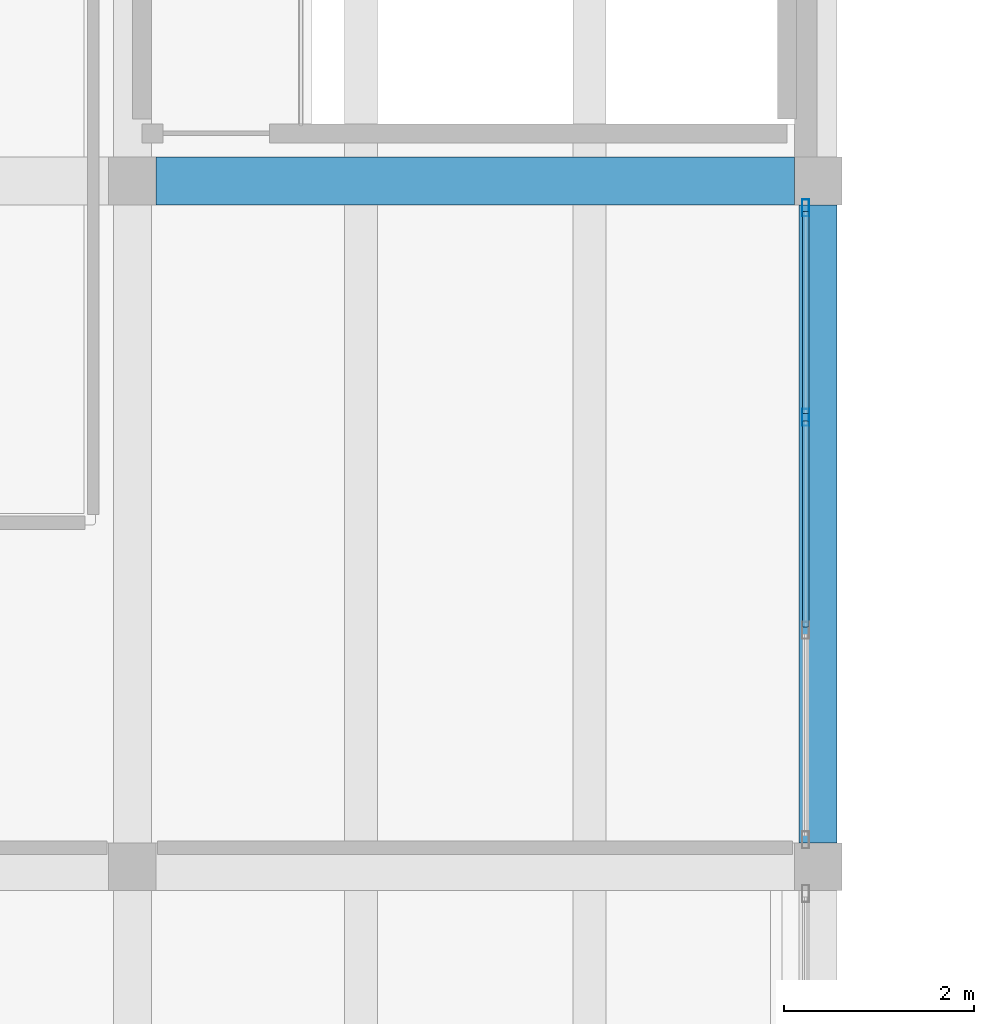
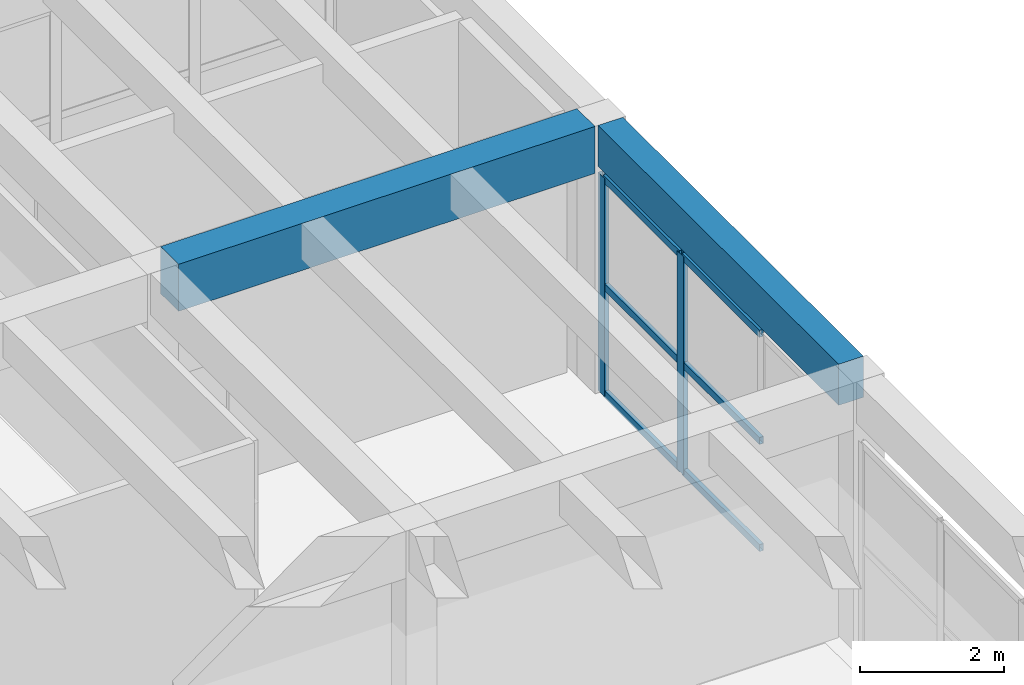
# One storey, part 97 of 153: 8 members, 2 beams, 1 element without a shape of its own.
"""IFC4 building model written with IfcOpenShell, lengths in metres."""

from ifc_helpers import new_model, si_unit, direction, frame, origin, origin_2d, place, context, subcontext, project, spatial, rectangle, hollow_rectangle, extrude, material, material_profile, profile_set, type_object, element, aggregate, save


model = new_model("IFC4")

# Units and contexts
model_context = context("Model", 3, precision=1e-05, world=origin(), true_north=direction((0.0, 1.0)))
body_context = subcontext(model_context, "Body", "Model", "MODEL_VIEW")
ifc_project = project(units=[si_unit("LENGTHUNIT", "METRE"), si_unit("AREAUNIT", "SQUARE_METRE"), si_unit("VOLUMEUNIT", "CUBIC_METRE"), si_unit("PLANEANGLEUNIT", "RADIAN"), si_unit("MASSUNIT", "GRAM", prefix="KILO")], contexts=[model_context])

# Site, building, storey
site_placement = place(None, origin())
site = spatial("IfcSite", under=ifc_project, at=site_placement, CompositionType="ELEMENT")
building_placement = place(site_placement, origin())
building = spatial("IfcBuilding", under=site, at=building_placement, Name="Bramvelor Terrace Health Centre", CompositionType="ELEMENT")
storey_placement = place(building_placement, frame((0.0, 0.0, 4.800048828125)))
storey = spatial("IfcBuildingStorey", under=building, at=storey_placement, Name="L02", CompositionType="ELEMENT", Elevation=4.800048828125)

# Beams
ifc_material_1 = material(Name="Concrete C40/50", Category="concrete")
ifc_material_profile_1 = material_profile(ifc_material_1, rectangle(XDim=0.39990234375, YDim=0.699951171875, at=origin_2d()), Name="RC 400x700")
ifc_profile_set_1 = profile_set([ifc_material_profile_1], Name="Concrete C40/50")
beam_type_1 = type_object("IfcBeamType", Name="BM-RC-G700", PredefinedType="BEAM", material=ifc_profile_set_1)
beam_1_placement = place(storey_placement, frame((93.60009765625, 65.050048828125, 4.199951171875), z_axis=(0.0, 1.0, 0.0), x_axis=(-1.0, 0.0, 0.0)))
element("IfcBeam", 1, at=beam_1_placement, inside=storey, type_object=beam_type_1, Name="L02 Floor Girder", PredefinedType="BEAM", context=body_context, shape_type="SweptSolid", body=[
    extrude(rectangle(XDim=0.39990234375, YDim=0.699951171875, at=origin_2d()), origin(), (0.0, 0.0, 1.0), 6.699951171875),
])
ifc_material_2 = material(Name="Concrete C40/50", Category="concrete")
ifc_material_profile_2 = material_profile(ifc_material_2, rectangle(XDim=0.5, YDim=0.800048828125, at=origin_2d()), Name="RC 500x800")
ifc_profile_set_2 = profile_set([ifc_material_profile_2], Name="Concrete C40/50")
beam_type_2 = type_object("IfcBeamType", Name="BM-RC-G800", PredefinedType="BEAM", material=ifc_profile_set_2)
beam_2_placement = place(storey_placement, frame((86.64990234375, 72.0, 4.14990234375), z_axis=(1.0, 0.0, 0.0), x_axis=(0.0, 1.0, 0.0)))
element("IfcBeam", 2, at=beam_2_placement, inside=storey, type_object=beam_type_2, Name="L02 Floor Girder", PredefinedType="BEAM", context=body_context, shape_type="SweptSolid", body=[
    extrude(rectangle(XDim=0.5, YDim=0.800048828125, at=origin_2d()), origin(), (0.0, 0.0, 1.0), 6.7001953125),
])

# Curtain wall, members
ifc_material_3 = material(Name="Anodized aluminium and double low-E glass", Category="aluminium")
curtain_wall_type = type_object("IfcCurtainWallType", Name="CW-SYS-17", PredefinedType="NOTDEFINED", material=ifc_material_3)
curtain_wall_placement = place(storey_placement, origin())
curtain_wall = element("IfcCurtainWall", 3, at=curtain_wall_placement, inside=storey, type_object=curtain_wall_type, Name="L02 Unitized Curtain Wall 97", PredefinedType="NOTDEFINED")
ifc_material_4 = material(Name="Anodized aluminium 6063-T6", Category="aluminium")
ifc_material_profile_3 = material_profile(ifc_material_4, hollow_rectangle(XDim=0.074951171875, YDim=0.179931640625, WallThickness=0.00341796875, at=origin_2d()), Name="ALU-MUL 75x180x3.5")
ifc_profile_set_3 = profile_set([ifc_material_profile_3], Name="Anodized aluminium 6063-T6")
member_type_1 = type_object("IfcMemberType", Name="CW-MUL-65x180", PredefinedType="MULLION", material=ifc_profile_set_3)
member_1_placement = place(storey_placement, frame((93.469970703125, 71.717529296875, 0.0), z_axis=(0.0, 0.0, 1.0), x_axis=(1.0, 0.0, 0.0)))
member_1 = element("IfcMember", 4, at=member_1_placement, type_object=member_type_1, Name="CW-17 mullion 1", PredefinedType="MULLION", context=body_context, shape_type="SweptSolid", body=[
    extrude(hollow_rectangle(XDim=0.074951171875, YDim=0.179931640625, WallThickness=0.00341796875, at=origin_2d()), origin(), (0.0, 0.0, 1.0), 3.7099609375),
])
member_2_placement = place(storey_placement, frame((93.469970703125, 69.518310546875, 0.0), z_axis=(0.0, 0.0, 1.0), x_axis=(1.0, 0.0, 0.0)))
member_2 = element("IfcMember", 5, at=member_2_placement, type_object=member_type_1, Name="CW-17 mullion 2", PredefinedType="MULLION", context=body_context, shape_type="SweptSolid", body=[
    extrude(hollow_rectangle(XDim=0.074951171875, YDim=0.179931640625, WallThickness=0.00341796875, at=origin_2d()), origin(), (0.0, 0.0, 1.0), 3.7099609375),
])
ifc_material_5 = material(Name="Anodized aluminium 6063-T6", Category="aluminium")
ifc_material_profile_4 = material_profile(ifc_material_5, hollow_rectangle(XDim=0.06494140625, YDim=0.1201171875, WallThickness=0.0029296875, at=origin_2d()), Name="ALU-TRN 65x120x3.0")
ifc_profile_set_4 = profile_set([ifc_material_profile_4], Name="Anodized aluminium 6063-T6")
member_type_2 = type_object("IfcMemberType", Name="CW-TRN-65x150", PredefinedType="USERDEFINED", material=ifc_profile_set_4)
member_3_placement = place(storey_placement, frame((93.469970703125, 71.679931640625, 0.032470703125), z_axis=(0.0, -1.0, 0.0), x_axis=(1.0, 0.0, 0.0)))
member_3 = element("IfcMember", 6, at=member_3_placement, type_object=member_type_2, Name="CW-17 transom 1.1", ObjectType="TRANSOM", PredefinedType="USERDEFINED", context=body_context, shape_type="SweptSolid", body=[
    extrude(hollow_rectangle(XDim=0.06494140625, YDim=0.1201171875, WallThickness=0.0029296875, at=origin_2d()), origin(), (0.0, 0.0, 1.0), 2.1240234375),
])
member_4_placement = place(storey_placement, frame((93.469970703125, 71.679931640625, 1.85498046875), z_axis=(0.0, -1.0, 0.0), x_axis=(1.0, 0.0, 0.0)))
member_4 = element("IfcMember", 7, at=member_4_placement, type_object=member_type_2, Name="CW-17 transom 1.2", ObjectType="TRANSOM", PredefinedType="USERDEFINED", context=body_context, shape_type="SweptSolid", body=[
    extrude(hollow_rectangle(XDim=0.06494140625, YDim=0.1201171875, WallThickness=0.0029296875, at=origin_2d()), origin(), (0.0, 0.0, 1.0), 2.1240234375),
])
member_5_placement = place(storey_placement, frame((93.469970703125, 71.679931640625, 3.677490234375), z_axis=(0.0, -1.0, 0.0), x_axis=(1.0, 0.0, 0.0)))
member_5 = element("IfcMember", 8, at=member_5_placement, type_object=member_type_2, Name="CW-17 transom 1.3", ObjectType="TRANSOM", PredefinedType="USERDEFINED", context=body_context, shape_type="SweptSolid", body=[
    extrude(hollow_rectangle(XDim=0.06494140625, YDim=0.1201171875, WallThickness=0.0029296875, at=origin_2d()), origin(), (0.0, 0.0, 1.0), 2.1240234375),
])
member_6_placement = place(storey_placement, frame((93.469970703125, 69.480712890625, 0.032470703125), z_axis=(0.0, -1.0, 0.0), x_axis=(1.0, 0.0, 0.0)))
member_6 = element("IfcMember", 9, at=member_6_placement, type_object=member_type_2, Name="CW-17 transom 2.1", ObjectType="TRANSOM", PredefinedType="USERDEFINED", context=body_context, shape_type="SweptSolid", body=[
    extrude(hollow_rectangle(XDim=0.06494140625, YDim=0.1201171875, WallThickness=0.0029296875, at=origin_2d()), origin(), (0.0, 0.0, 1.0), 2.16162109375),
])
member_7_placement = place(storey_placement, frame((93.469970703125, 69.480712890625, 1.85498046875), z_axis=(0.0, -1.0, 0.0), x_axis=(1.0, 0.0, 0.0)))
member_7 = element("IfcMember", 10, at=member_7_placement, type_object=member_type_2, Name="CW-17 transom 2.2", ObjectType="TRANSOM", PredefinedType="USERDEFINED", context=body_context, shape_type="SweptSolid", body=[
    extrude(hollow_rectangle(XDim=0.06494140625, YDim=0.1201171875, WallThickness=0.0029296875, at=origin_2d()), origin(), (0.0, 0.0, 1.0), 2.16162109375),
])
member_8_placement = place(storey_placement, frame((93.469970703125, 69.480712890625, 3.677490234375), z_axis=(0.0, -1.0, 0.0), x_axis=(1.0, 0.0, 0.0)))
member_8 = element("IfcMember", 11, at=member_8_placement, type_object=member_type_2, Name="CW-17 transom 2.3", ObjectType="TRANSOM", PredefinedType="USERDEFINED", context=body_context, shape_type="SweptSolid", body=[
    extrude(hollow_rectangle(XDim=0.06494140625, YDim=0.1201171875, WallThickness=0.0029296875, at=origin_2d()), origin(), (0.0, 0.0, 1.0), 2.16162109375),
])
aggregate(curtain_wall, [member_1, member_2, member_3, member_4, member_5, member_6, member_7, member_8])

save(model, "model.ifc")
